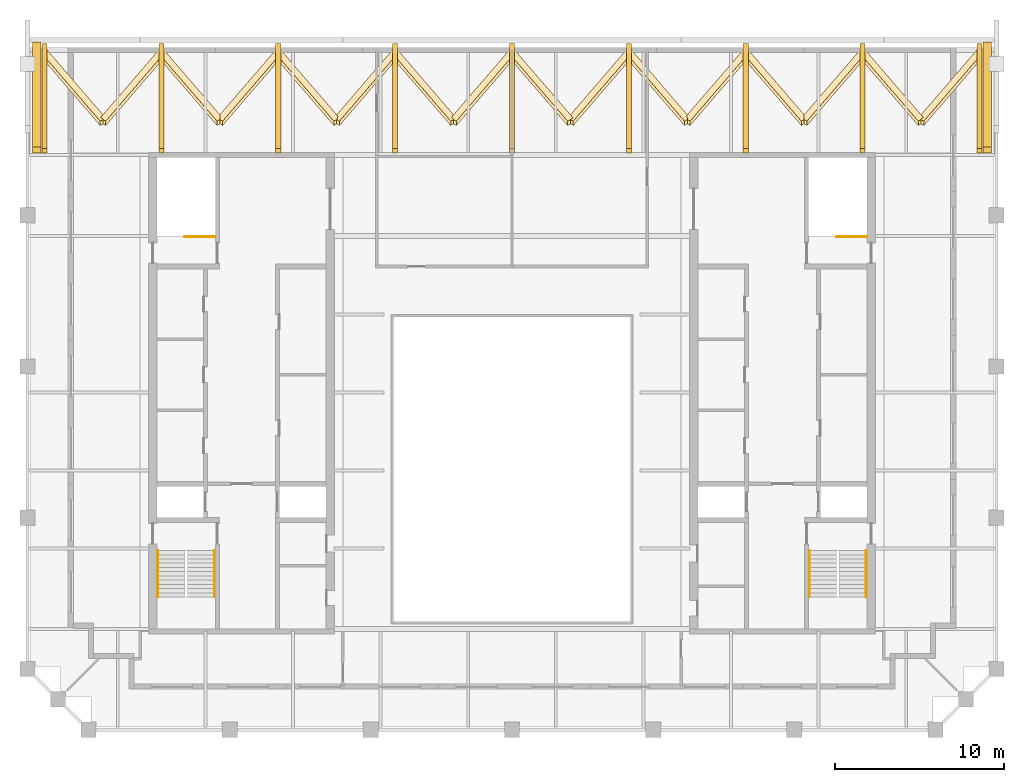
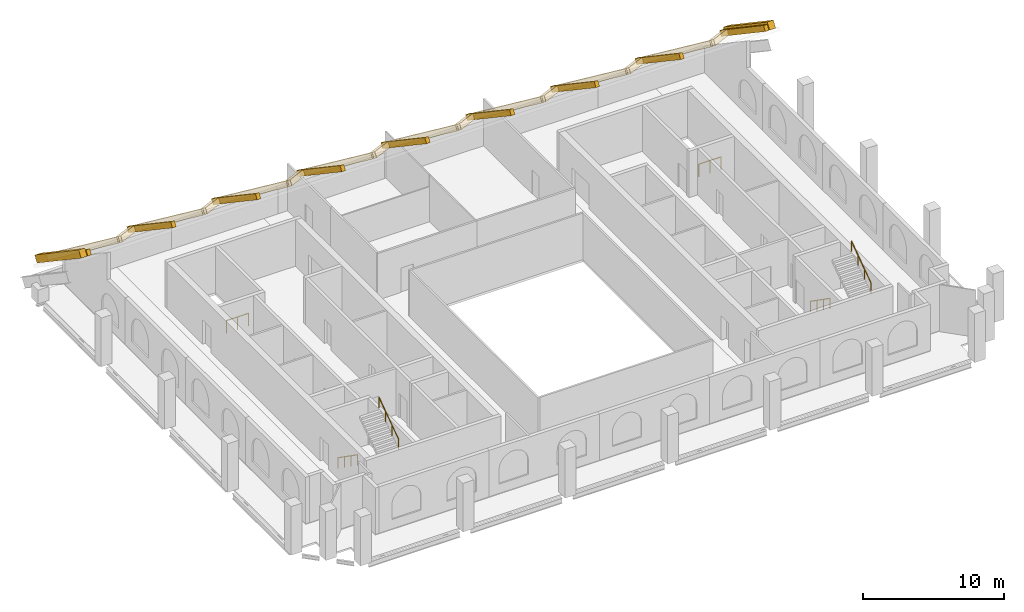
# One storey, part 7 of 7: 27 coverings, 6 railings.
"""IFC4 building model written with IfcOpenShell, lengths in metres."""

from ifc_helpers import new_model, si_unit, direction, frame, origin, origin_2d, place, context, subcontext, project, spatial, rectangle, circle, extrude, material, material_profile, profile_set, type_object, element, save


model = new_model("IFC4")

# Units and contexts
model_context = context("Model", 3, precision=1e-05, world=origin(), true_north=direction((0.0, 1.0)))
body_context = subcontext(model_context, "Body", "Model", "MODEL_VIEW")
ifc_project = project(units=[si_unit("LENGTHUNIT", "METRE"), si_unit("AREAUNIT", "SQUARE_METRE"), si_unit("VOLUMEUNIT", "CUBIC_METRE"), si_unit("PLANEANGLEUNIT", "RADIAN"), si_unit("MASSUNIT", "GRAM", prefix="KILO")], contexts=[model_context])

# Site, building, storey
site_placement = place(None, origin())
site = spatial("IfcSite", under=ifc_project, at=site_placement, CompositionType="ELEMENT")
building_placement = place(site_placement, origin())
building = spatial("IfcBuilding", under=site, at=building_placement, Name="Ogive Exchange Tower", CompositionType="ELEMENT")
storey_placement = place(building_placement, frame((0.0, 0.0, 385.800048828125)))
storey = spatial("IfcBuildingStorey", under=building, at=storey_placement, Name="C05", CompositionType="ELEMENT", Elevation=385.800048828125)

# Railings
ifc_material_1 = material(Name="Stainless steel", Category="steel")
railing_type_1 = type_object("IfcRailingType", Name="Stair guard 1100", PredefinedType="GUARDRAIL", material=ifc_material_1)
for number, where, name in (
    (1, (-17.550048828125, 20.75, 0.0), "C05 ST2 top well guard 1"),
    (2, (21.0, 20.75, 0.0), "C05 ST4 top well guard 1"),
):
    element("IfcRailing", number, at=place(storey_placement, frame(where)), inside=storey, type_object=railing_type_1, Name=name, PredefinedType="GUARDRAIL", context=body_context, shape_type="SweptSolid", body=[
        extrude(circle(Radius=0.02392578125, at=origin_2d()), frame((0.0, 0.0, 1.076171875), z_axis=(-1.0, 0.0, 0.0), x_axis=(0.0, -1.0, 0.0)), (0.0, 0.0, 1.0), 1.800048828125),
        extrude(circle(Radius=0.02099609375, at=origin_2d()), origin(), (0.0, 0.0, 1.0), 1.052001953125),
        extrude(circle(Radius=0.02099609375, at=origin_2d()), frame((-0.89990234375, 0.0, 0.0)), (0.0, 0.0, 1.0), 1.052001953125),
        extrude(circle(Radius=0.02099609375, at=origin_2d()), frame((-1.800048828125, 0.0, 0.0)), (0.0, 0.0, 1.0), 1.052001953125),
    ])
railing_type_2 = type_object("IfcRailingType", Name="Stair handrail 900", PredefinedType="HANDRAIL", material=ifc_material_1)
railing_1_placement = place(storey_placement, frame((-20.949951171875, 2.199951171875, 0.175048828125)))
element("IfcRailing", 3, at=railing_1_placement, inside=storey, type_object=railing_type_2, Name="C05 ST1 stair handrail 1", PredefinedType="HANDRAIL", context=body_context, shape_type="SweptSolid", body=[
    extrude(circle(Radius=0.02392578125, at=origin_2d()), frame((0.0, 0.0, 0.8759765625), z_axis=(0.0, -0.819259255306, 0.573423292687), x_axis=(1.0, 0.0, 0.0)), (0.0, 0.0, 1.0), 3.356689453125),
    extrude(circle(Radius=0.02099609375, at=origin_2d()), origin(), (0.0, 0.0, 1.0), 0.851806640625),
    extrude(circle(Radius=0.02099609375, at=origin_2d()), frame((0.0, -0.916748046875, 0.6416015625)), (0.0, 0.0, 1.0), 0.851806640625),
    extrude(circle(Radius=0.02099609375, at=origin_2d()), frame((0.0, -1.833251953125, 1.283203125)), (0.0, 0.0, 1.0), 0.851806640625),
    extrude(circle(Radius=0.02099609375, at=origin_2d()), frame((0.0, -2.75, 1.9248046875)), (0.0, 0.0, 1.0), 0.851806640625),
])
railing_2_placement = place(storey_placement, frame((-17.60009765625, -0.550048828125, 2.27490234375)))
element("IfcRailing", 4, at=railing_2_placement, inside=storey, type_object=railing_type_2, Name="C05 ST1 stair handrail 2", PredefinedType="HANDRAIL", context=body_context, shape_type="SweptSolid", body=[
    extrude(circle(Radius=0.02392578125, at=origin_2d()), frame((0.0, 0.0, 0.8759765625), z_axis=(0.0, 0.819225086817, 0.573472106672), x_axis=(-1.0, 0.0, 0.0)), (0.0, 0.0, 1.0), 3.35693359375),
    extrude(circle(Radius=0.02099609375, at=origin_2d()), origin(), (0.0, 0.0, 1.0), 0.851806640625),
    extrude(circle(Radius=0.02099609375, at=origin_2d()), frame((0.0, 0.916748046875, 0.6416015625)), (0.0, 0.0, 1.0), 0.851806640625),
    extrude(circle(Radius=0.02099609375, at=origin_2d()), frame((0.0, 1.833251953125, 1.283447265625)), (0.0, 0.0, 1.0), 0.851806640625),
    extrude(circle(Radius=0.02099609375, at=origin_2d()), frame((0.0, 2.75, 1.925048828125)), (0.0, 0.0, 1.0), 0.851806640625),
])
railing_3_placement = place(storey_placement, frame((17.60009765625, 2.199951171875, 0.175048828125)))
element("IfcRailing", 5, at=railing_3_placement, inside=storey, type_object=railing_type_2, Name="C05 ST3 stair handrail 1", PredefinedType="HANDRAIL", context=body_context, shape_type="SweptSolid", body=[
    extrude(circle(Radius=0.02392578125, at=origin_2d()), frame((0.0, 0.0, 0.8759765625), z_axis=(0.0, -0.819259255306, 0.573423292687), x_axis=(1.0, 0.0, 0.0)), (0.0, 0.0, 1.0), 3.356689453125),
    extrude(circle(Radius=0.02099609375, at=origin_2d()), origin(), (0.0, 0.0, 1.0), 0.851806640625),
    extrude(circle(Radius=0.02099609375, at=origin_2d()), frame((0.0, -0.916748046875, 0.6416015625)), (0.0, 0.0, 1.0), 0.851806640625),
    extrude(circle(Radius=0.02099609375, at=origin_2d()), frame((0.0, -1.833251953125, 1.283203125)), (0.0, 0.0, 1.0), 0.851806640625),
    extrude(circle(Radius=0.02099609375, at=origin_2d()), frame((0.0, -2.75, 1.9248046875)), (0.0, 0.0, 1.0), 0.851806640625),
])
railing_4_placement = place(storey_placement, frame((20.949951171875, -0.550048828125, 2.27490234375)))
element("IfcRailing", 6, at=railing_4_placement, inside=storey, type_object=railing_type_2, Name="C05 ST3 stair handrail 2", PredefinedType="HANDRAIL", context=body_context, shape_type="SweptSolid", body=[
    extrude(circle(Radius=0.02392578125, at=origin_2d()), frame((0.0, 0.0, 0.8759765625), z_axis=(0.0, 0.819225086817, 0.573472106672), x_axis=(-1.0, 0.0, 0.0)), (0.0, 0.0, 1.0), 3.35693359375),
    extrude(circle(Radius=0.02099609375, at=origin_2d()), origin(), (0.0, 0.0, 1.0), 0.851806640625),
    extrude(circle(Radius=0.02099609375, at=origin_2d()), frame((0.0, 0.916748046875, 0.6416015625)), (0.0, 0.0, 1.0), 0.851806640625),
    extrude(circle(Radius=0.02099609375, at=origin_2d()), frame((0.0, 1.833251953125, 1.283447265625)), (0.0, 0.0, 1.0), 0.851806640625),
    extrude(circle(Radius=0.02099609375, at=origin_2d()), frame((0.0, 2.75, 1.925048828125)), (0.0, 0.0, 1.0), 0.851806640625),
])

# Coverings
ifc_material_2 = material(Name="Limestone cladding on precast concrete", Category="masonry")
ifc_material_profile_1 = material_profile(ifc_material_2, rectangle(XDim=0.5, YDim=0.60009765625, at=origin_2d()), Name="CORNICE 500 x 600")
ifc_profile_set_1 = profile_set([ifc_material_profile_1], Name="Limestone cladding on precast concrete")
covering_type_1 = type_object("IfcCoveringType", Name="Stone cornice course 500 x 600", PredefinedType="CLADDING", material=ifc_profile_set_1)
for number, where, z_axis, x_axis, name in (
    (7, (-28.10009765625, 25.888916015625, 6.848876953125), (0.0, 0.82901219624, -0.559230523564), (-1.0, 0.0, 0.0), "Stone cornice course"),
    (8, (28.10009765625, 25.888916015625, 6.848876953125), (0.0, 0.82901219624, -0.559230523564), (-1.0, 0.0, 0.0), "Stone cornice course"),
):
    element("IfcCovering", number, at=place(storey_placement, frame(where, z_axis=z_axis, x_axis=x_axis)), inside=storey, type_object=covering_type_1, Name=name, PredefinedType="CLADDING", context=body_context, shape_type="SweptSolid", body=[
        extrude(rectangle(XDim=0.5, YDim=0.60009765625, at=origin_2d()), origin(), (0.0, 0.0, 1.0), 7.51025390625),
    ])
ifc_material_profile_2 = material_profile(ifc_material_2, rectangle(XDim=0.300048828125, YDim=0.449951171875, at=origin_2d()), Name="RIB 300 x 450")
ifc_profile_set_2 = profile_set([ifc_material_profile_2], Name="Limestone cladding on precast concrete")
covering_type_2 = type_object("IfcCoveringType", Name="Stone roof rib 300 x 450", PredefinedType="CLADDING", material=ifc_profile_set_2)
for number, where, z_axis, x_axis, name in (
    (9, (-27.64990234375, 32.073974609375, 2.5859375), (0.0, -0.82905285538, 0.559170245083), (1.0, 0.0, 0.0), "Stone roof rib"),
    (10, (-20.737060546875, 32.073974609375, 2.5859375), (0.0, -0.82905285538, 0.559170245083), (1.0, 0.0, 0.0), "Stone roof rib"),
    (11, (-13.824951171875, 32.073974609375, 2.5859375), (0.0, -0.82905285538, 0.559170245083), (1.0, 0.0, 0.0), "Stone roof rib"),
    (12, (-6.9130859375, 32.073974609375, 2.5859375), (0.0, -0.82905285538, 0.559170245083), (1.0, 0.0, 0.0), "Stone roof rib"),
    (13, (0.0, 32.073974609375, 2.5859375), (0.0, -0.82905285538, 0.559170245083), (1.0, 0.0, 0.0), "Stone roof rib"),
    (14, (6.9130859375, 32.073974609375, 2.5859375), (0.0, -0.82905285538, 0.559170245083), (1.0, 0.0, 0.0), "Stone roof rib"),
    (15, (13.824951171875, 32.073974609375, 2.5859375), (0.0, -0.82905285538, 0.559170245083), (1.0, 0.0, 0.0), "Stone roof rib"),
    (16, (20.737060546875, 32.073974609375, 2.5859375), (0.0, -0.82905285538, 0.559170245083), (1.0, 0.0, 0.0), "Stone roof rib"),
    (17, (27.64990234375, 32.073974609375, 2.5859375), (0.0, -0.82905285538, 0.559170245083), (1.0, 0.0, 0.0), "Stone roof rib"),
):
    element("IfcCovering", number, at=place(storey_placement, frame(where, z_axis=z_axis, x_axis=x_axis)), inside=storey, type_object=covering_type_2, Name=name, PredefinedType="CLADDING", context=body_context, shape_type="SweptSolid", body=[
        extrude(rectangle(XDim=0.300048828125, YDim=0.449951171875, at=origin_2d()), origin(), (0.0, 0.0, 1.0), 7.510986328125),
    ])
ifc_material_profile_3 = material_profile(ifc_material_2, rectangle(XDim=0.39990234375, YDim=0.449951171875, at=origin_2d()), Name="TRACERY 400 x 450")
ifc_profile_set_3 = profile_set([ifc_material_profile_3], Name="Limestone cladding on precast concrete")
covering_type_3 = type_object("IfcCoveringType", Name="Stone tracery arch 400 x 450", PredefinedType="CLADDING", material=ifc_profile_set_3)
covering_1_placement = place(storey_placement, frame((-27.64990234375, 31.573974609375, 2.924072265625), z_axis=(0.581158391494, -0.674685683322, 0.455032034824), x_axis=(0.813790464793, 0.481778320038, -0.325014968507)))
element("IfcCovering", 18, at=covering_1_placement, inside=storey, type_object=covering_type_3, Name="Stone tracery arch", PredefinedType="CLADDING", context=body_context, shape_type="SweptSolid", body=[
    extrude(rectangle(XDim=0.39990234375, YDim=0.449951171875, at=origin_2d()), origin(), (0.0, 0.0, 1.0), 5.946533203125),
])
covering_2_placement = place(storey_placement, frame((-20.737060546875, 31.573974609375, 2.924072265625), z_axis=(-0.581294317364, -0.674605191896, 0.454977748541), x_axis=(0.813693379942, -0.481935444404, 0.325025092672)))
element("IfcCovering", 19, at=covering_2_placement, inside=storey, type_object=covering_type_3, Name="Stone tracery arch", PredefinedType="CLADDING", context=body_context, shape_type="SweptSolid", body=[
    extrude(rectangle(XDim=0.39990234375, YDim=0.449951171875, at=origin_2d()), origin(), (0.0, 0.0, 1.0), 5.947021484375),
])
for number, where, z_axis, x_axis, name in (
    (20, (-20.737060546875, 31.573974609375, 2.924072265625), (0.58118558056, -0.674669585006, 0.455021177547), (0.813771049287, 0.481829268585, -0.324988054052), "Stone tracery arch"),
    (21, (-13.824951171875, 31.573974609375, 2.924072265625), (-0.58118558056, -0.674669585006, 0.455021177547), (0.813771049287, -0.481829268585, 0.324988054052), "Stone tracery arch"),
    (22, (-13.824951171875, 31.573974609375, 2.924072265625), (0.58118558056, -0.674669585006, 0.455021177547), (0.813771049287, 0.481829268585, -0.324988054052), "Stone tracery arch"),
    (23, (-6.9130859375, 31.573974609375, 2.924072265625), (-0.581158391494, -0.674685683322, 0.455032034824), (0.813790466335, -0.481797839015, 0.324986029274), "Stone tracery arch"),
    (24, (-6.9130859375, 31.573974609375, 2.924072265625), (0.58118558056, -0.674669585006, 0.455021177547), (0.813771048197, 0.481809749875, -0.325016993466), "Stone tracery arch"),
):
    element("IfcCovering", number, at=place(storey_placement, frame(where, z_axis=z_axis, x_axis=x_axis)), inside=storey, type_object=covering_type_3, Name=name, PredefinedType="CLADDING", context=body_context, shape_type="SweptSolid", body=[
        extrude(rectangle(XDim=0.39990234375, YDim=0.449951171875, at=origin_2d()), origin(), (0.0, 0.0, 1.0), 5.946533203125),
    ])
for number, where, z_axis, x_axis, name in (
    (25, (0.0, 31.573974609375, 2.924072265625), (-0.581294317364, -0.674605191896, 0.454977748541), (0.813693379942, -0.481935444404, 0.325025092672), "Stone tracery arch"),
    (26, (0.0, 31.573974609375, 2.924072265625), (0.581294317364, -0.674605191896, 0.454977748541), (0.813693379942, 0.481935444404, -0.325025092672), "Stone tracery arch"),
):
    element("IfcCovering", number, at=place(storey_placement, frame(where, z_axis=z_axis, x_axis=x_axis)), inside=storey, type_object=covering_type_3, Name=name, PredefinedType="CLADDING", context=body_context, shape_type="SweptSolid", body=[
        extrude(rectangle(XDim=0.39990234375, YDim=0.449951171875, at=origin_2d()), origin(), (0.0, 0.0, 1.0), 5.947021484375),
    ])
for number, where, z_axis, x_axis, name in (
    (27, (6.9130859375, 31.573974609375, 2.924072265625), (-0.58118558056, -0.674669585006, 0.455021177547), (0.813771048197, -0.481809749875, 0.325016993466), "Stone tracery arch"),
    (28, (6.9130859375, 31.573974609375, 2.924072265625), (0.581158391494, -0.674685683322, 0.455032034824), (0.813790466335, 0.481797839015, -0.324986029274), "Stone tracery arch"),
    (29, (13.824951171875, 31.573974609375, 2.924072265625), (-0.58118558056, -0.674669585006, 0.455021177547), (0.813771049287, -0.481829268585, 0.324988054052), "Stone tracery arch"),
    (30, (13.824951171875, 31.573974609375, 2.924072265625), (0.58118558056, -0.674669585006, 0.455021177547), (0.813771049287, 0.481829268585, -0.324988054052), "Stone tracery arch"),
    (31, (20.737060546875, 31.573974609375, 2.924072265625), (-0.58118558056, -0.674669585006, 0.455021177547), (0.813771049287, -0.481829268585, 0.324988054052), "Stone tracery arch"),
):
    element("IfcCovering", number, at=place(storey_placement, frame(where, z_axis=z_axis, x_axis=x_axis)), inside=storey, type_object=covering_type_3, Name=name, PredefinedType="CLADDING", context=body_context, shape_type="SweptSolid", body=[
        extrude(rectangle(XDim=0.39990234375, YDim=0.449951171875, at=origin_2d()), origin(), (0.0, 0.0, 1.0), 5.946533203125),
    ])
covering_3_placement = place(storey_placement, frame((20.737060546875, 31.573974609375, 2.924072265625), z_axis=(0.581294317364, -0.674605191896, 0.454977748541), x_axis=(0.813693379942, 0.481935444404, -0.325025092672)))
element("IfcCovering", 32, at=covering_3_placement, inside=storey, type_object=covering_type_3, Name="Stone tracery arch", PredefinedType="CLADDING", context=body_context, shape_type="SweptSolid", body=[
    extrude(rectangle(XDim=0.39990234375, YDim=0.449951171875, at=origin_2d()), origin(), (0.0, 0.0, 1.0), 5.947021484375),
])
covering_4_placement = place(storey_placement, frame((27.64990234375, 31.573974609375, 2.924072265625), z_axis=(-0.581158391494, -0.674685683322, 0.455032034824), x_axis=(0.813790464793, -0.481778320038, 0.325014968507)))
element("IfcCovering", 33, at=covering_4_placement, inside=storey, type_object=covering_type_3, Name="Stone tracery arch", PredefinedType="CLADDING", context=body_context, shape_type="SweptSolid", body=[
    extrude(rectangle(XDim=0.39990234375, YDim=0.449951171875, at=origin_2d()), origin(), (0.0, 0.0, 1.0), 5.946533203125),
])

save(model, "model.ifc")
